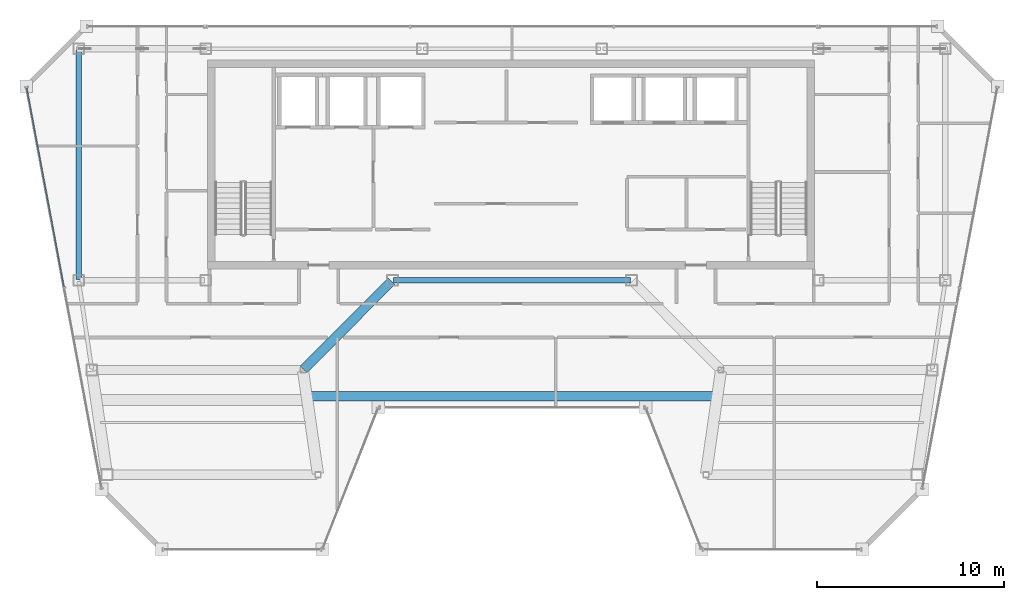
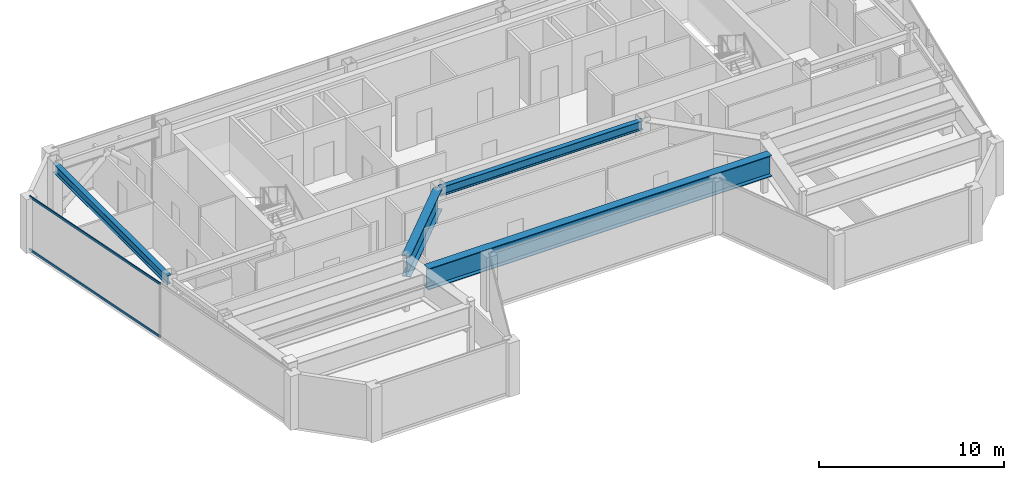
# One storey, part 8 of 23: 4 beams, 2 members, 1 element without a shape of its own.
"""IFC4 building model written with IfcOpenShell, lengths in metres."""

from ifc_helpers import new_model, si_unit, direction, frame, origin, origin_2d, place, context, subcontext, project, spatial, hollow_rectangle, i_section, extrude, material, material_profile, profile_set, type_object, element, aggregate, save


model = new_model("IFC4")

# Units and contexts
model_context = context("Model", 3, precision=1e-05, world=origin(), true_north=direction((0.0, 1.0)))
body_context = subcontext(model_context, "Body", "Model", "MODEL_VIEW")
ifc_project = project(units=[si_unit("LENGTHUNIT", "METRE"), si_unit("AREAUNIT", "SQUARE_METRE"), si_unit("VOLUMEUNIT", "CUBIC_METRE"), si_unit("PLANEANGLEUNIT", "RADIAN"), si_unit("MASSUNIT", "GRAM", prefix="KILO")], contexts=[model_context])

# Site, building, storey
site_placement = place(None, origin())
site = spatial("IfcSite", under=ifc_project, at=site_placement, CompositionType="ELEMENT")
building_placement = place(site_placement, origin())
building = spatial("IfcBuilding", under=site, at=building_placement, Name="Saevonmaru Cultural Tower", CompositionType="ELEMENT")
storey_placement = place(building_placement, frame((0.0, 0.0, 291.39990234375)))
storey = spatial("IfcBuildingStorey", under=building, at=storey_placement, Name="L69", CompositionType="ELEMENT", Elevation=291.39990234375)

# Beams
ifc_material_1 = material(Name="Steel SM355", Category="steel")
ifc_material_profile_1 = material_profile(ifc_material_1, i_section(OverallWidth=0.300048828125, OverallDepth=0.587890625, WebThickness=0.011962890625, FlangeThickness=0.02001953125, FilletRadius=0.02392578125, at=origin_2d()), Name="H-588x300x12x20")
ifc_profile_set_1 = profile_set([ifc_material_profile_1], Name="Steel SM355")
beam_type_1 = type_object("IfcBeamType", Name="BM-G-H588", PredefinedType="BEAM", material=ifc_profile_set_1)
beam_1_placement = place(storey_placement, frame((23.659912109375, 42.39990234375, 3.256103515625), z_axis=(1.0, 0.0, 0.0), x_axis=(0.0, 1.0, 0.0)))
element("IfcBeam", 1, at=beam_1_placement, inside=storey, type_object=beam_type_1, Name="L69 Core South Girder 3", PredefinedType="BEAM", context=body_context, shape_type="SweptSolid", body=[
    extrude(i_section(OverallWidth=0.300048828125, OverallDepth=0.587890625, WebThickness=0.011962890625, FlangeThickness=0.02001953125, FilletRadius=0.02392578125, at=origin_2d()), origin(), (0.0, 0.0, 1.0), 12.68017578125),
])
beam_2_placement = place(storey_placement, frame((6.800048828125, 54.739990234375, 3.256103515625), z_axis=(0.0, -1.0, 0.0), x_axis=(1.0, 0.0, 0.0)))
element("IfcBeam", 2, at=beam_2_placement, inside=storey, type_object=beam_type_1, Name="L69 Spine Transverse Girder W", PredefinedType="BEAM", context=body_context, shape_type="SweptSolid", body=[
    extrude(i_section(OverallWidth=0.300048828125, OverallDepth=0.587890625, WebThickness=0.011962890625, FlangeThickness=0.02001953125, FilletRadius=0.02392578125, at=origin_2d()), origin(), (0.0, 0.0, 1.0), 12.280029296875),
])
ifc_material_2 = material(Name="Steel HSA600 (600 MPa)", Category="steel")
ifc_material_profile_2 = material_profile(ifc_material_2, i_section(OverallWidth=0.5, OverallDepth=1.39990234375, WebThickness=0.02392578125, FlangeThickness=0.044921875, at=origin_2d()), Name="PG-1400x500x24x45")
ifc_profile_set_2 = profile_set([ifc_material_profile_2], Name="Steel HSA600 (600 MPa)")
beam_type_2 = type_object("IfcBeamType", Name="BM-TG-PG1400", PredefinedType="BEAM", material=ifc_profile_set_2)
beam_3_placement = place(storey_placement, frame((18.850341796875, 37.642578125, 2.85009765625), z_axis=(0.706538566564, 0.707674539572, 0.0), x_axis=(-0.707674539572, 0.706538566564, 0.0)))
element("IfcBeam", 3, at=beam_3_placement, inside=storey, type_object=beam_type_2, Name="L69 West Atrium Girder 2", PredefinedType="BEAM", context=body_context, shape_type="SweptSolid", body=[
    extrude(i_section(OverallWidth=0.5, OverallDepth=1.39990234375, WebThickness=0.02392578125, FlangeThickness=0.044921875, at=origin_2d()), origin(), (0.0, 0.0, 1.0), 6.662353515625),
])
beam_4_placement = place(storey_placement, frame((19.268310546875, 36.199951171875, 2.85009765625), z_axis=(1.0, 0.0, 0.0), x_axis=(0.0, 1.0, 0.0)))
element("IfcBeam", 4, at=beam_4_placement, inside=storey, type_object=beam_type_2, Name="L69 Central Link Girder", PredefinedType="BEAM", context=body_context, shape_type="SweptSolid", body=[
    extrude(i_section(OverallWidth=0.5, OverallDepth=1.39990234375, WebThickness=0.02392578125, FlangeThickness=0.044921875, at=origin_2d()), origin(), (0.0, 0.0, 1.0), 21.46337890625),
])

# Curtain wall, members
ifc_material_3 = material(Name="Satin Bronze Anodised Aluminium", Category="aluminium")
curtain_wall_type = type_object("IfcCurtainWallType", Name="CW-TYP-B", PredefinedType="NOTDEFINED", material=ifc_material_3)
curtain_wall_placement = place(storey_placement, origin())
curtain_wall = element("IfcCurtainWall", 5, at=curtain_wall_placement, inside=storey, type_object=curtain_wall_type, Name="L69 Unitised Curtain Wall E12", PredefinedType="NOTDEFINED")
ifc_material_profile_3 = material_profile(ifc_material_3, hollow_rectangle(XDim=0.06494140625, YDim=0.14990234375, WallThickness=0.00390625, at=origin_2d()), Name="ALU-TRAN-150x65x4")
ifc_profile_set_3 = profile_set([ifc_material_profile_3], Name="Satin Bronze Anodised Aluminium")
member_type = type_object("IfcMemberType", Name="TR-CW-150x65", PredefinedType="USERDEFINED", material=ifc_profile_set_3)
member_1_placement = place(storey_placement, frame((4.01708984375, 52.708984375, 0.03271484375), z_axis=(0.184029339557, -0.982920750713, 0.0), x_axis=(0.982920750713, 0.184029339557, 0.0)))
member_1 = element("IfcMember", 6, at=member_1_placement, type_object=member_type, Name="CW-TW-L69-E12 transom 1.1", ObjectType="TRANSOM", PredefinedType="USERDEFINED", context=body_context, shape_type="SweptSolid", body=[
    extrude(hollow_rectangle(XDim=0.06494140625, YDim=0.14990234375, WallThickness=0.00390625, at=origin_2d()), origin(), (0.0, 0.0, 1.0), 10.862548828125),
])
member_2_placement = place(storey_placement, frame((4.01708984375, 52.708984375, 3.517578125), z_axis=(0.184029339557, -0.982920750713, 0.0), x_axis=(0.982920750713, 0.184029339557, 0.0)))
member_2 = element("IfcMember", 7, at=member_2_placement, type_object=member_type, Name="CW-TW-L69-E12 transom 1.2", ObjectType="TRANSOM", PredefinedType="USERDEFINED", context=body_context, shape_type="SweptSolid", body=[
    extrude(hollow_rectangle(XDim=0.06494140625, YDim=0.14990234375, WallThickness=0.00390625, at=origin_2d()), origin(), (0.0, 0.0, 1.0), 10.862548828125),
])
aggregate(curtain_wall, [member_1, member_2])

save(model, "model.ifc")
